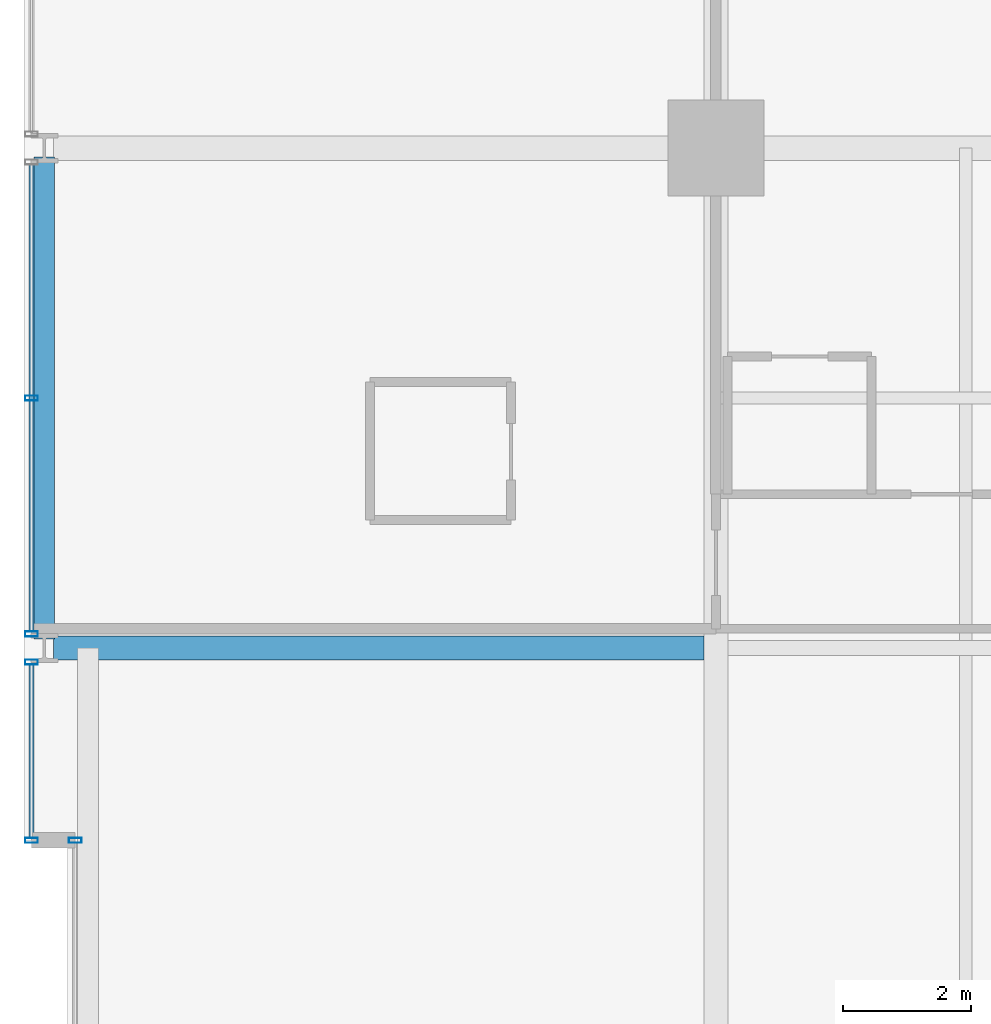
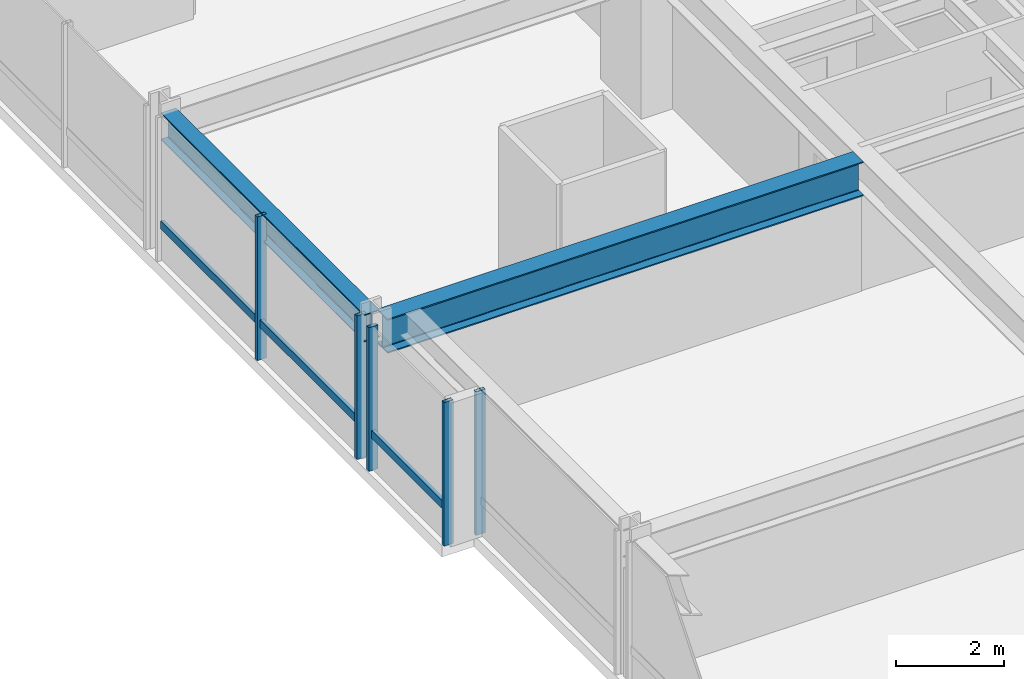
# One storey, part 16 of 35: 7 members, 2 beams, 3 elements without a shape of their own.
"""IFC4 building model written with IfcOpenShell, lengths in metres."""

from ifc_helpers import new_model, si_unit, direction, frame, origin, origin_2d, place, context, subcontext, project, spatial, hollow_rectangle, i_section, extrude, material, layer, layer_set, material_profile, profile_set, type_object, element, aggregate, save


model = new_model("IFC4")

# Units and contexts
model_context = context("Model", 3, precision=1e-05, world=origin(), true_north=direction((0.0, 1.0)))
body_context = subcontext(model_context, "Body", "Model", "MODEL_VIEW")
ifc_project = project(units=[si_unit("LENGTHUNIT", "METRE"), si_unit("AREAUNIT", "SQUARE_METRE"), si_unit("VOLUMEUNIT", "CUBIC_METRE"), si_unit("PLANEANGLEUNIT", "RADIAN"), si_unit("MASSUNIT", "GRAM", prefix="KILO")], contexts=[model_context])

# Site, building, storey
site_placement = place(None, origin())
site = spatial("IfcSite", under=ifc_project, at=site_placement, CompositionType="ELEMENT")
building_placement = place(site_placement, origin())
building = spatial("IfcBuilding", under=site, at=building_placement, Name="Drelvath Grand Hotel", CompositionType="ELEMENT")
storey_placement = place(building_placement, frame((0.0, 0.0, 98.800048828125)))
storey = spatial("IfcBuildingStorey", under=building, at=storey_placement, Name="L24", CompositionType="ELEMENT", Elevation=98.800048828125)

# Curtain wall, member
ifc_material_1 = material(Name="Champagne Bronze Anodised Aluminium Frame", Category="aluminium")
ifc_layer = layer(ifc_material_1, 0.199951171875)
ifc_layer_set = layer_set([ifc_layer], Name="Champagne Bronze Anodised Aluminium Frame")
curtain_wall_type = type_object("IfcCurtainWallType", Name="Stick Curtain Wall CW-03 Champagne Bronze Mid-Rise", PredefinedType="NOTDEFINED", material=ifc_layer_set)
curtain_wall_1_placement = place(storey_placement, origin())
curtain_wall_1 = element("IfcCurtainWall", 1, at=curtain_wall_1_placement, inside=storey, type_object=curtain_wall_type, Name="L24 CW-03 Curtain Wall CW03-L24-WN1", PredefinedType="NOTDEFINED")
ifc_material_profile_1 = material_profile(ifc_material_1, hollow_rectangle(XDim=0.074951171875, YDim=0.179931640625, WallThickness=0.0048828125, at=origin_2d()), Name="HSS180X75X5")
ifc_profile_set_1 = profile_set([ifc_material_profile_1], Name="Champagne Bronze Anodised Aluminium Frame")
member_type_1 = type_object("IfcMemberType", Name="Curtain Wall Horizontal Transom CW-03 HSS180X75X5", PredefinedType="USERDEFINED", material=ifc_profile_set_1)
member_1_placement = place(storey_placement, frame((-26.8798828125, 32.43994140625, 0.81005859375), z_axis=(0.0, 1.0, 0.0), x_axis=(-1.0, 0.0, 0.0)))
member_1 = element("IfcMember", 2, at=member_1_placement, type_object=member_type_1, Name="CW03-L24-WN1 Sill Transom", ObjectType="TRANSOM", PredefinedType="USERDEFINED", context=body_context, shape_type="SweptSolid", body=[
    extrude(hollow_rectangle(XDim=0.074951171875, YDim=0.179931640625, WallThickness=0.0048828125, at=origin_2d()), origin(), (0.0, 0.0, 1.0), 2.700439453125),
])

curtain_wall_2_placement = place(storey_placement, origin())
curtain_wall_2 = element("IfcCurtainWall", 3, at=curtain_wall_2_placement, inside=storey, type_object=curtain_wall_type, Name="L24 CW-03 Curtain Wall CW03-L24-WN2", PredefinedType="NOTDEFINED")
member_2_placement = place(storey_placement, frame((-26.8798828125, 35.65966796875, 0.81005859375), z_axis=(0.0, 1.0, 0.0), x_axis=(-1.0, 0.0, 0.0)))
member_2 = element("IfcMember", 4, at=member_2_placement, type_object=member_type_1, Name="CW03-L24-WN2 Sill Transom", ObjectType="TRANSOM", PredefinedType="USERDEFINED", context=body_context, shape_type="SweptSolid", body=[
    extrude(hollow_rectangle(XDim=0.074951171875, YDim=0.179931640625, WallThickness=0.0048828125, at=origin_2d()), origin(), (0.0, 0.0, 1.0), 7.28076171875),
])

curtain_wall_3_placement = place(storey_placement, origin())
curtain_wall_3 = element("IfcCurtainWall", 5, at=curtain_wall_3_placement, inside=storey, type_object=curtain_wall_type, Name="L24 CW-03 Curtain Wall CW03-L24-WM2", PredefinedType="NOTDEFINED")
ifc_material_profile_2 = material_profile(ifc_material_1, hollow_rectangle(XDim=0.080078125, YDim=0.199951171875, WallThickness=0.0048828125, at=origin_2d()), Name="HSS200X80X5")
ifc_profile_set_2 = profile_set([ifc_material_profile_2], Name="Champagne Bronze Anodised Aluminium Frame")
member_type_2 = type_object("IfcMemberType", Name="Curtain Wall Vertical Mullion CW-03 HSS200X80X5", PredefinedType="MULLION", material=ifc_profile_set_2)
member_3_placement = place(storey_placement, frame((-26.199951171875, 32.39990234375, 0.0), z_axis=(0.0, 0.0, 1.0), x_axis=(0.0, 1.0, 0.0)))
member_3 = element("IfcMember", 6, at=member_3_placement, type_object=member_type_2, Name="CW03-L24-WM2 Mullion 2", PredefinedType="MULLION", context=body_context, shape_type="SweptSolid", body=[
    extrude(hollow_rectangle(XDim=0.080078125, YDim=0.199951171875, WallThickness=0.0048828125, at=origin_2d()), origin(), (0.0, 0.0, 1.0), 3.239990234375),
])
aggregate(curtain_wall_3, [member_3])

# Member
member_4_placement = place(storey_placement, frame((-26.8798828125, 32.39990234375, 0.0), z_axis=(0.0, 0.0, 1.0), x_axis=(0.0, 1.0, 0.0)))
member_4 = element("IfcMember", 7, at=member_4_placement, type_object=member_type_2, Name="CW03-L24-WN1 Mullion 1", PredefinedType="MULLION", context=body_context, shape_type="SweptSolid", body=[
    extrude(hollow_rectangle(XDim=0.080078125, YDim=0.199951171875, WallThickness=0.0048828125, at=origin_2d()), origin(), (0.0, 0.0, 1.0), 3.239990234375),
])

member_5_placement = place(storey_placement, frame((-26.8798828125, 35.180419921875, 0.0), z_axis=(0.0, 0.0, 1.0), x_axis=(0.0, 1.0, 0.0)))
member_5 = element("IfcMember", 8, at=member_5_placement, type_object=member_type_2, Name="CW03-L24-WN1 Mullion 2", PredefinedType="MULLION", context=body_context, shape_type="SweptSolid", body=[
    extrude(hollow_rectangle(XDim=0.080078125, YDim=0.199951171875, WallThickness=0.0048828125, at=origin_2d()), origin(), (0.0, 0.0, 1.0), 3.239990234375),
])

aggregate(curtain_wall_1, [member_4, member_5, member_1])

member_6_placement = place(storey_placement, frame((-26.8798828125, 35.61962890625, 0.0), z_axis=(0.0, 0.0, 1.0), x_axis=(0.0, 1.0, 0.0)))
member_6 = element("IfcMember", 9, at=member_6_placement, type_object=member_type_2, Name="CW03-L24-WN2 Mullion 1", PredefinedType="MULLION", context=body_context, shape_type="SweptSolid", body=[
    extrude(hollow_rectangle(XDim=0.080078125, YDim=0.199951171875, WallThickness=0.0048828125, at=origin_2d()), origin(), (0.0, 0.0, 1.0), 3.239990234375),
])

member_7_placement = place(storey_placement, frame((-26.8798828125, 39.300048828125, 0.0), z_axis=(0.0, 0.0, 1.0), x_axis=(0.0, 1.0, 0.0)))
member_7 = element("IfcMember", 10, at=member_7_placement, type_object=member_type_2, Name="CW03-L24-WN2 Mullion 2", PredefinedType="MULLION", context=body_context, shape_type="SweptSolid", body=[
    extrude(hollow_rectangle(XDim=0.080078125, YDim=0.199951171875, WallThickness=0.0048828125, at=origin_2d()), origin(), (0.0, 0.0, 1.0), 3.239990234375),
])

aggregate(curtain_wall_2, [member_6, member_7, member_2])

# Beams
ifc_material_2 = material(Name="Steel ASTM A992 Gr 50", Category="steel")
ifc_material_profile_3 = material_profile(ifc_material_2, i_section(OverallWidth=0.323974609375, OverallDepth=0.611083984375, WebThickness=0.0126953125, FlangeThickness=0.01904296875, FilletRadius=0.02197265625, at=origin_2d()), Name="W24X104")
ifc_profile_set_3 = profile_set([ifc_material_profile_3], Name="Steel ASTM A992 Gr 50")
beam_type_1 = type_object("IfcBeamType", Name="Perimeter Spandrel Beam W24X104", PredefinedType="SPANDREL", material=ifc_profile_set_3)
beam_1_placement = place(storey_placement, frame((-26.679931640625, 35.5400390625, 2.9345703125), z_axis=(0.0, 1.0, 0.0), x_axis=(-1.0, 0.0, 0.0)))
element("IfcBeam", 11, at=beam_1_placement, inside=storey, type_object=beam_type_1, Name="L24 Spandrel West N", PredefinedType="SPANDREL", context=body_context, shape_type="SweptSolid", body=[
    extrude(i_section(OverallWidth=0.323974609375, OverallDepth=0.611083984375, WebThickness=0.0126953125, FlangeThickness=0.01904296875, FilletRadius=0.02197265625, at=origin_2d()), origin(), (0.0, 0.0, 1.0), 7.52001953125),
])
ifc_material_profile_4 = material_profile(ifc_material_2, i_section(OverallWidth=0.380615234375, OverallDepth=0.773193359375, WebThickness=0.0166015625, FlangeThickness=0.027099609375, FilletRadius=0.02490234375, at=origin_2d()), Name="W30X173")
ifc_profile_set_4 = profile_set([ifc_material_profile_4], Name="Steel ASTM A992 Gr 50")
beam_type_2 = type_object("IfcBeamType", Name="Primary Floor Girder W30X173", PredefinedType="BEAM", material=ifc_profile_set_4)
beam_2_placement = place(storey_placement, frame((-26.5400390625, 35.39990234375, 2.853271484375), z_axis=(1.0, 0.0, 0.0), x_axis=(0.0, 1.0, 0.0)))
element("IfcBeam", 12, at=beam_2_placement, inside=storey, type_object=beam_type_2, Name="L24 West Wing Girder F", PredefinedType="BEAM", context=body_context, shape_type="SweptSolid", body=[
    extrude(i_section(OverallWidth=0.380615234375, OverallDepth=0.773193359375, WebThickness=0.0166015625, FlangeThickness=0.027099609375, FilletRadius=0.02490234375, at=origin_2d()), origin(), (0.0, 0.0, 1.0), 10.149658203125),
])

save(model, "model.ifc")
